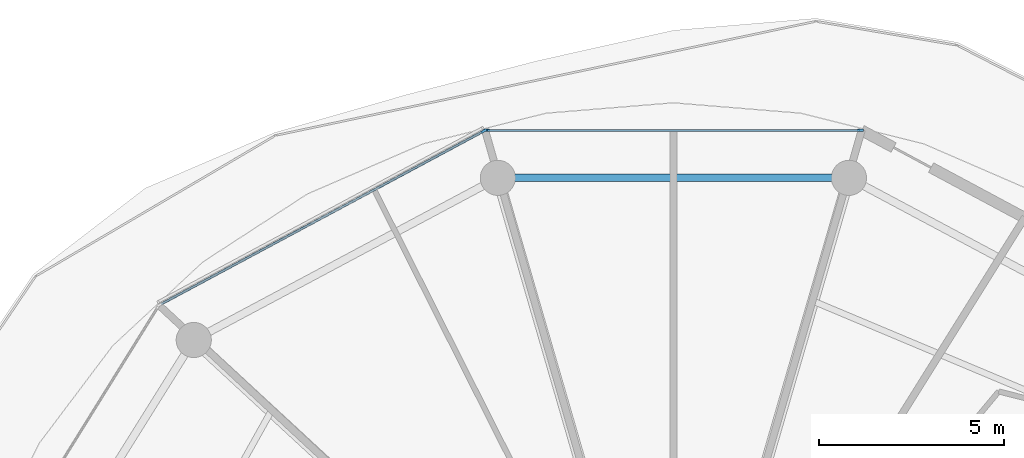
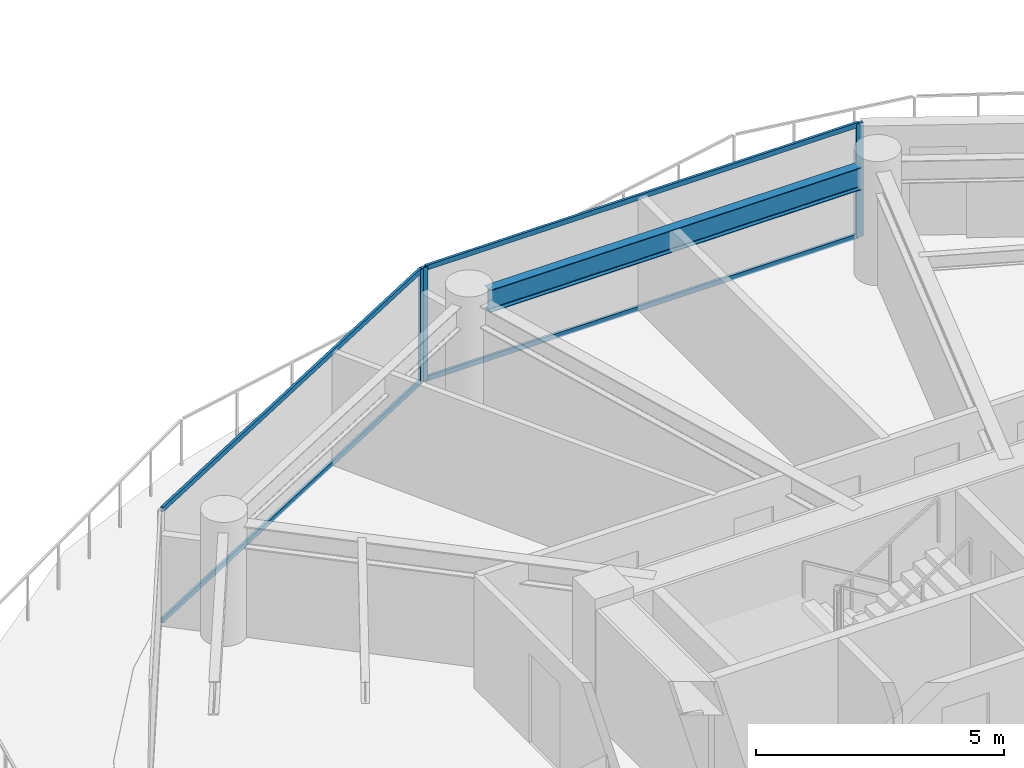
# One storey, part 9 of 25: 7 members, 1 beam, 2 elements without a shape of their own.
"""IFC4 building model written with IfcOpenShell, lengths in metres."""

from ifc_helpers import new_model, si_unit, direction, frame, origin, origin_2d, place, context, subcontext, project, spatial, rectangle, i_section, extrude, source, transform, mapped, material, layer, layer_set, material_profile, profile_set, type_object, type_shapes, element, aggregate, save


model = new_model("IFC4")

# Units and contexts
model_context = context("Model", 3, precision=1e-05, world=origin(), true_north=direction((0.0, 1.0)))
body_context = subcontext(model_context, "Body", "Model", "MODEL_VIEW")
ifc_project = project(units=[si_unit("LENGTHUNIT", "METRE"), si_unit("AREAUNIT", "SQUARE_METRE"), si_unit("VOLUMEUNIT", "CUBIC_METRE"), si_unit("PLANEANGLEUNIT", "RADIAN"), si_unit("MASSUNIT", "GRAM", prefix="KILO")], contexts=[model_context])

# Site, building, storey
site_placement = place(None, origin())
site = spatial("IfcSite", under=ifc_project, at=site_placement, CompositionType="ELEMENT")
building_placement = place(site_placement, origin())
building = spatial("IfcBuilding", under=site, at=building_placement, Name="Norrkilde Senior Care Towers", CompositionType="ELEMENT")
storey_placement = place(building_placement, frame((0.0, 0.0, 27.699951171875)))
storey = spatial("IfcBuildingStorey", under=building, at=storey_placement, Name="L07", CompositionType="ELEMENT", Elevation=27.699951171875)

# Beam
ifc_material_1 = material(Name="Steel S355", Category="steel")
ifc_material_profile_1 = material_profile(ifc_material_1, i_section(OverallWidth=0.2099609375, OverallDepth=0.550048828125, WebThickness=0.010986328125, FlangeThickness=0.01708984375, FilletRadius=0.02392578125, at=origin_2d()), Name="IPE 550")
ifc_profile_set_1 = profile_set([ifc_material_profile_1], Name="Steel S355")
beam_type = type_object("IfcBeamType", Name="Perimeter Ring Spandrel Z1 IPE550", PredefinedType="SPANDREL", material=ifc_profile_set_1)
shared_shape_1 = source(origin(), body_context, "Body", "SweptSolid", [
    extrude(i_section(OverallWidth=0.2099609375, OverallDepth=0.550048828125, WebThickness=0.010986328125, FlangeThickness=0.01708984375, FilletRadius=0.02392578125, at=origin_2d()), origin(), (0.0, 0.0, 1.0), 8.62841796875),
])
type_shapes(beam_type, [shared_shape_1])
beam_placement = place(storey_placement, frame((-23.685791015625, 16.37255859375, 2.51513671875), z_axis=(-1.0, 0.0, 0.0), x_axis=(0.0, -1.0, 0.0)))
element("IfcBeam", 1, at=beam_placement, inside=storey, type_object=beam_type, Name="L07 Drum W Perimeter Spandrel 03", PredefinedType="SPANDREL", context=body_context, shape_type="MappedRepresentation", body=[
    mapped(shared_shape_1, transform((0.0, 0.0, 0.0), x_axis=(1.0, 0.0, 0.0), y_axis=(0.0, 1.0, 0.0), z_axis=(0.0, 0.0, 1.0), scale=1.0)),
])

# Curtain wall, members
ifc_material_2 = material(Name="Triple Low-E Insulated Glazing", Category="glass")
ifc_layer = layer(ifc_material_2, 0.199951171875)
ifc_layer_set = layer_set([ifc_layer], Name="Triple Low-E Insulated Glazing")
curtain_wall_type = type_object("IfcCurtainWallType", Name="CW2 Zone 1 Memory Care Curtain Wall", PredefinedType="NOTDEFINED", material=ifc_layer_set)
curtain_wall_1_placement = place(storey_placement, origin())
curtain_wall_1 = element("IfcCurtainWall", 2, at=curtain_wall_1_placement, inside=storey, type_object=curtain_wall_type, Name="L07 Drum W Curtain Wall 02", PredefinedType="NOTDEFINED")
ifc_material_3 = material(Name="Anodised Aluminium", Category="aluminium")
ifc_material_profile_2 = material_profile(ifc_material_3, rectangle(XDim=0.06494140625, YDim=0.159912109375, at=origin_2d()), Name="ALU MULL 65x160")
ifc_profile_set_2 = profile_set([ifc_material_profile_2], Name="Anodised Aluminium")
member_type_1 = type_object("IfcMemberType", Name="Curtain Wall Mullion Z1-Z2 65x160", PredefinedType="MULLION", material=ifc_profile_set_2)
shared_shape_2 = source(origin(), body_context, "Body", "SweptSolid", [
    extrude(rectangle(XDim=0.06494140625, YDim=0.159912109375, at=origin_2d()), origin(), (0.0, 0.0, 1.0), 2.7900390625),
])
type_shapes(member_type_1, [shared_shape_2])
member_1_placement = place(storey_placement, frame((-33.06103515625, 17.6572265625, 0.0), z_axis=(0.0, 0.0, 1.0), x_axis=(0.0, 1.0, 0.0)))
member_1 = element("IfcMember", 3, at=member_1_placement, type_object=member_type_1, Name="CW-2 mullion 1", PredefinedType="MULLION", context=body_context, shape_type="MappedRepresentation", body=[
    mapped(shared_shape_2, transform((0.0, 0.0, 0.0), x_axis=(1.0, 0.0, 0.0), y_axis=(0.0, 1.0, 0.0), z_axis=(0.0, 0.0, 1.0), scale=1.0)),
])
member_2_placement = place(storey_placement, frame((-22.93896484375, 17.6572265625, 0.0), z_axis=(0.0, 0.0, 1.0), x_axis=(0.0, 1.0, 0.0)))
member_2 = element("IfcMember", 4, at=member_2_placement, type_object=member_type_1, Name="CW-2 mullion 2", PredefinedType="MULLION", context=body_context, shape_type="MappedRepresentation", body=[
    mapped(shared_shape_2, transform((0.0, 0.0, 0.0), x_axis=(1.0, 0.0, 0.0), y_axis=(0.0, 1.0, 0.0), z_axis=(0.0, 0.0, 1.0), scale=1.0)),
])

curtain_wall_2_placement = place(storey_placement, origin())
curtain_wall_2 = element("IfcCurtainWall", 5, at=curtain_wall_2_placement, inside=storey, type_object=curtain_wall_type, Name="L07 Drum W Curtain Wall 03", PredefinedType="NOTDEFINED")
member_3_placement = place(storey_placement, frame((-33.122314453125, 17.641845703125, 0.0), z_axis=(0.0, 0.0, 1.0), x_axis=(-0.472607802456, 0.881272866403, 0.0)))
member_3 = element("IfcMember", 6, at=member_3_placement, type_object=member_type_1, Name="CW-2 mullion 2", PredefinedType="MULLION", context=body_context, shape_type="MappedRepresentation", body=[
    mapped(shared_shape_2, transform((0.0, 0.0, 0.0), x_axis=(1.0, 0.0, 0.0), y_axis=(0.0, 1.0, 0.0), z_axis=(0.0, 0.0, 1.0), scale=1.0)),
])
ifc_material_profile_3 = material_profile(ifc_material_3, rectangle(XDim=0.06005859375, YDim=0.1201171875, at=origin_2d()), Name="ALU TRAN 60x120")
ifc_profile_set_3 = profile_set([ifc_material_profile_3], Name="Anodised Aluminium")
member_type_2 = type_object("IfcMemberType", Name="Curtain Wall Transom Typical 60x120", PredefinedType="USERDEFINED", material=ifc_profile_set_3)
shared_shape_3 = source(origin(), body_context, "Body", "SweptSolid", [
    extrude(rectangle(XDim=0.06005859375, YDim=0.1201171875, at=origin_2d()), origin(), (0.0, 0.0, 1.0), 9.880859375),
])
member_4_placement = place(storey_placement, frame((-41.858642578125, 12.95654296875, 0.030029296875), z_axis=(0.881267204043, 0.47261836092, 0.0), x_axis=(-0.47261836092, 0.881267204043, 0.0)))
member_4 = element("IfcMember", 7, at=member_4_placement, type_object=member_type_2, Name="CW-2 transom 1.1", ObjectType="TRANSOM", PredefinedType="USERDEFINED", context=body_context, shape_type="MappedRepresentation", body=[
    mapped(shared_shape_3, transform((0.0, 0.0, 0.0), x_axis=(1.0, 0.0, 0.0), y_axis=(0.0, 1.0, 0.0), z_axis=(0.0, 0.0, 1.0), scale=1.0)),
])
member_5_placement = place(storey_placement, frame((-41.858642578125, 12.95654296875, 2.760009765625), z_axis=(0.881267204043, 0.47261836092, 0.0), x_axis=(-0.47261836092, 0.881267204043, 0.0)))
member_5 = element("IfcMember", 8, at=member_5_placement, type_object=member_type_2, Name="CW-2 transom 1.2", ObjectType="TRANSOM", PredefinedType="USERDEFINED", context=body_context, shape_type="MappedRepresentation", body=[
    mapped(shared_shape_3, transform((0.0, 0.0, 0.0), x_axis=(1.0, 0.0, 0.0), y_axis=(0.0, 1.0, 0.0), z_axis=(0.0, 0.0, 1.0), scale=1.0)),
])
aggregate(curtain_wall_2, [member_3, member_4, member_5])

# Member
shared_shape_4 = source(origin(), body_context, "Body", "SweptSolid", [
    extrude(rectangle(XDim=0.06005859375, YDim=0.1201171875, at=origin_2d()), origin(), (0.0, 0.0, 1.0), 10.05712890625),
])
type_shapes(member_type_2, [shared_shape_3, shared_shape_4])
member_6_placement = place(storey_placement, frame((-33.028564453125, 17.6572265625, 0.030029296875), z_axis=(1.0, 0.0, 0.0), x_axis=(0.0, 1.0, 0.0)))
member_6 = element("IfcMember", 9, at=member_6_placement, type_object=member_type_2, Name="CW-2 transom 1.1", ObjectType="TRANSOM", PredefinedType="USERDEFINED", context=body_context, shape_type="MappedRepresentation", body=[
    mapped(shared_shape_4, transform((0.0, 0.0, 0.0), x_axis=(1.0, 0.0, 0.0), y_axis=(0.0, 1.0, 0.0), z_axis=(0.0, 0.0, 1.0), scale=1.0)),
])

member_7_placement = place(storey_placement, frame((-33.028564453125, 17.6572265625, 2.760009765625), z_axis=(1.0, 0.0, 0.0), x_axis=(0.0, 1.0, 0.0)))
member_7 = element("IfcMember", 10, at=member_7_placement, type_object=member_type_2, Name="CW-2 transom 1.2", ObjectType="TRANSOM", PredefinedType="USERDEFINED", context=body_context, shape_type="MappedRepresentation", body=[
    mapped(shared_shape_4, transform((0.0, 0.0, 0.0), x_axis=(1.0, 0.0, 0.0), y_axis=(0.0, 1.0, 0.0), z_axis=(0.0, 0.0, 1.0), scale=1.0)),
])

aggregate(curtain_wall_1, [member_1, member_2, member_6, member_7])

save(model, "model.ifc")
